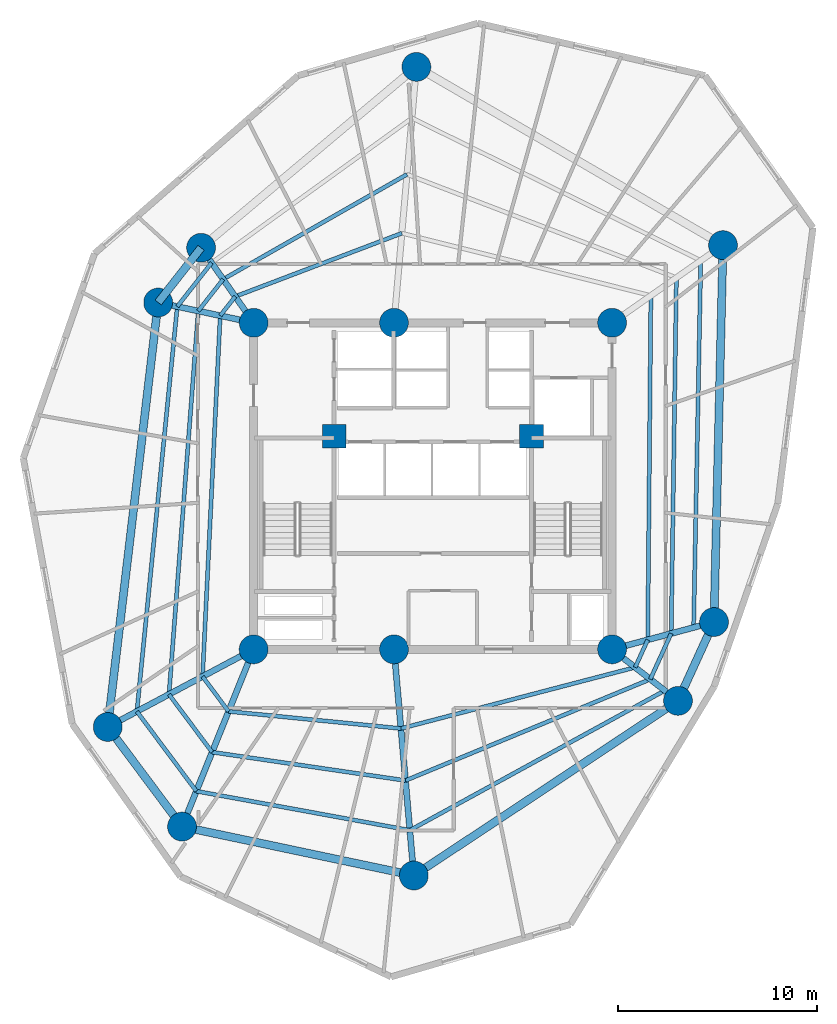
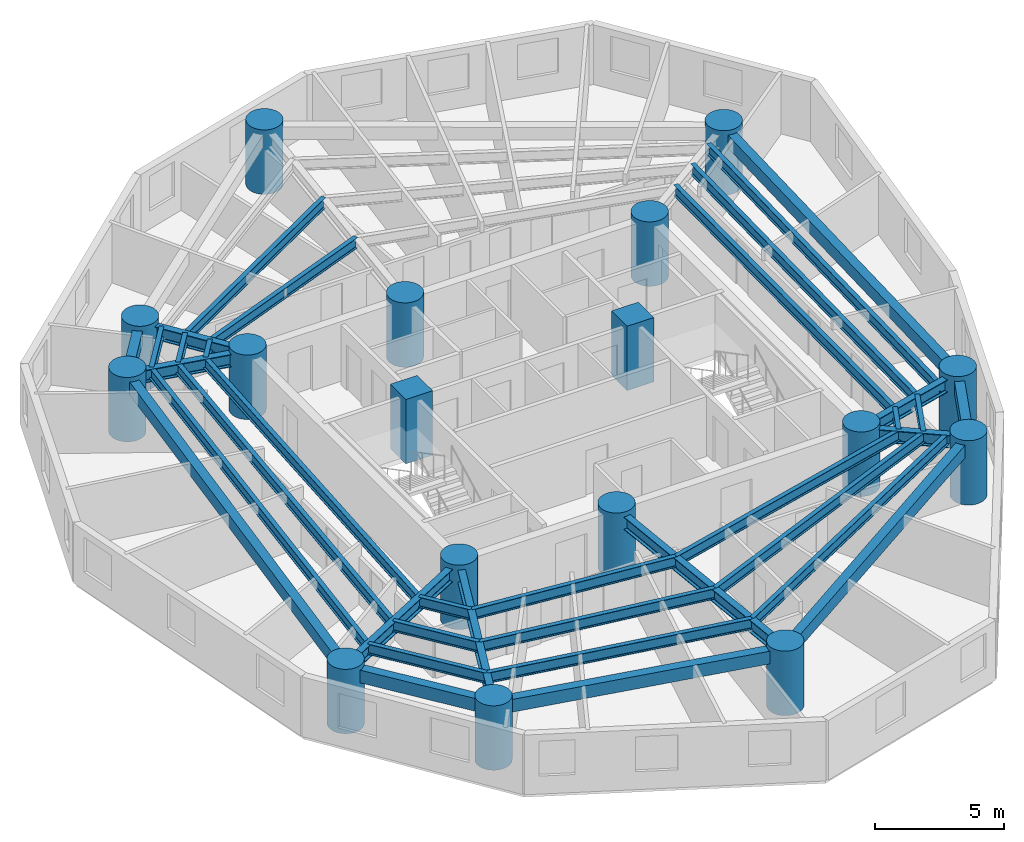
# One storey, part 1 of 7: 36 beams, 17 columns.
"""IFC4 building model written with IfcOpenShell, lengths in metres."""

import ifcopenshell
import ifcopenshell.guid

model = None  # the IFC model being written
_history = None  # IfcOwnerHistory: only IFC2X3 demands one
_inside = {}  # id of a spatial element -> (the spatial element, [elements in it])
_under = {}  # id of a project, library or spatial element -> (it, [spatial elements below it])
_declared = {}  # id of a project -> (the project, [libraries it declares])
_typed = {}  # id of a type object -> (the type object, [elements of that type])
_made_of = {}  # id of a material, layer set ... -> (it, [elements and type objects made of it])


def new_model(schema):
    """Start an empty IFC model of exactly this schema.

    Asked for "IFC4X3", IfcOpenShell would pick the latest addendum, in which some entities
    have other attributes; the version numbers below select the first issue.
    IFC2X3 requires an IfcOwnerHistory on every rooted entity: one is made here for all.
    """
    global model, _history
    if schema == "IFC4X3":
        model = ifcopenshell.file(schema_version=(4, 3, 0, 0))
    else:
        model = ifcopenshell.file(schema=schema)
    _inside.clear()
    _under.clear()
    _declared.clear()
    _typed.clear()
    _made_of.clear()
    _history = None
    if model.schema == "IFC2X3":
        org = make("IfcOrganization", Name="unknown")
        user = make(
            "IfcPersonAndOrganization",
            ThePerson=make("IfcPerson", FamilyName="unknown"),
            TheOrganization=org,
        )
        app = make(
            "IfcApplication",
            ApplicationDeveloper=org,
            Version="unknown",
            ApplicationFullName="unknown",
            ApplicationIdentifier="unknown",
        )
        _history = make(
            "IfcOwnerHistory",
            OwningUser=user,
            OwningApplication=app,
            ChangeAction="ADDED",
            CreationDate=0,
        )
    return model


def make(cls, **values):
    """One entity of the class cls with the attributes given. An attribute that is None is left unset."""
    return model.create_entity(
        cls, **{name: value for name, value in values.items() if value is not None}
    )


def rooted(cls, **values):
    """An entity with a GlobalId (a new one), such as an element, a storey or a relation."""
    return make(cls, GlobalId=ifcopenshell.guid.new(), OwnerHistory=_history, **values)


def si_unit(unit_type, name, prefix=None):
    """IfcSIUnit, for example si_unit("LENGTHUNIT", "METRE", prefix="MILLI")."""
    return make("IfcSIUnit", UnitType=unit_type, Prefix=prefix, Name=name)


def assignment(units):
    """IfcUnitAssignment: the units of a project."""
    return None if units is None else make("IfcUnitAssignment", Units=units)


def point(xyz):
    """IfcCartesianPoint."""
    return None if xyz is None else make("IfcCartesianPoint", Coordinates=xyz)


def direction(xyz):
    """IfcDirection."""
    return None if xyz is None else make("IfcDirection", DirectionRatios=xyz)


def frame(location, z_axis=None, x_axis=None):
    """IfcAxis2Placement3D, a coordinate frame: its origin and axes. An axis left out is left unset."""
    return make(
        "IfcAxis2Placement3D",
        Location=point(location),
        Axis=direction(z_axis),
        RefDirection=direction(x_axis),
    )


def frame_2d(location, x_axis=None):
    """IfcAxis2Placement2D, a coordinate frame in the plane: its origin and x axis."""
    return make(
        "IfcAxis2Placement2D", Location=point(location), RefDirection=direction(x_axis)
    )


def origin():
    """The frame at (0, 0, 0) with its axes left unset."""
    return frame((0.0, 0.0, 0.0))


def origin_with_axes():
    """The frame at (0, 0, 0) with the z axis (0, 0, 1) and the x axis (1, 0, 0) written out."""
    return frame((0.0, 0.0, 0.0), z_axis=(0.0, 0.0, 1.0), x_axis=(1.0, 0.0, 0.0))


def origin_2d():
    """The frame at (0, 0) in the plane with its x axis left unset."""
    return frame_2d((0.0, 0.0))


def place(relative_to, where):
    """IfcLocalPlacement: puts the frame where relative to a parent placement (None: the world)."""
    return make(
        "IfcLocalPlacement", PlacementRelTo=relative_to, RelativePlacement=where
    )


def context(
    kind, dimensions, precision=None, world=None, true_north=None, identifier=None
):
    """IfcGeometricRepresentationContext, for example the 3D "Model" context."""
    return make(
        "IfcGeometricRepresentationContext",
        ContextIdentifier=identifier,
        ContextType=kind,
        CoordinateSpaceDimension=dimensions,
        Precision=precision,
        WorldCoordinateSystem=world,
        TrueNorth=true_north,
    )


def subcontext(parent, identifier, kind, view, scale=None):
    """IfcGeometricRepresentationSubContext, for example "Body" below "Model"."""
    return make(
        "IfcGeometricRepresentationSubContext",
        ContextIdentifier=identifier,
        ContextType=kind,
        ParentContext=parent,
        TargetScale=scale,
        TargetView=view,
    )


def project(units=None, contexts=None):
    """IfcProject with its units and contexts."""
    return rooted(
        "IfcProject",
        Name="project",
        RepresentationContexts=contexts,
        UnitsInContext=assignment(units),
    )


def spatial(cls, under=None, at=None, **own):
    """A site, building, storey or space (cls), placed at a placement, below another one or the project."""
    s = rooted(cls, ObjectPlacement=at, **own)
    if under is not None:
        _under.setdefault(under.id(), (under, []))[1].append(s)
    return s


def profile(cls, at=None, kind="AREA", **sizes):
    """A parametric profile (cls). Its sizes go by their IFC names, for example OverallWidth=200.0."""
    return make(cls, ProfileType=kind, Position=at, **sizes)


def rectangle(**sizes):
    """IfcRectangleProfileDef."""
    return profile("IfcRectangleProfileDef", **sizes)


def circle(**sizes):
    """IfcCircleProfileDef."""
    return profile("IfcCircleProfileDef", **sizes)


def i_section(**sizes):
    """IfcIShapeProfileDef."""
    return profile("IfcIShapeProfileDef", **sizes)


def extrude(swept, where, along, depth):
    """IfcExtrudedAreaSolid: the profile swept, set in the frame where, extruded along a direction by depth."""
    return make(
        "IfcExtrudedAreaSolid",
        SweptArea=swept,
        Position=where,
        ExtrudedDirection=direction(along),
        Depth=depth,
    )


def shape(context_of_items, identifier, shape_type, items):
    """IfcShapeRepresentation: the items that make up one representation, for example the "Body"."""
    return make(
        "IfcShapeRepresentation",
        ContextOfItems=context_of_items,
        RepresentationIdentifier=identifier,
        RepresentationType=shape_type,
        Items=items,
    )


def source(mapping_origin, context_of_items, identifier, shape_type, items):
    """IfcRepresentationMap: a shape defined once, which mapped items show again and again."""
    return make(
        "IfcRepresentationMap",
        MappingOrigin=mapping_origin,
        MappedRepresentation=shape(context_of_items, identifier, shape_type, items),
    )


def transform(
    local_origin,
    x_axis=None,
    y_axis=None,
    z_axis=None,
    scale=None,
    scale2=None,
    scale3=None,
    uniform=True,
):
    """IfcCartesianTransformationOperator3D, or its non-uniform kind. x_axis, y_axis, z_axis: its Axis1, 2, 3."""
    if uniform:
        return make(
            "IfcCartesianTransformationOperator3D",
            Axis1=direction(x_axis),
            Axis2=direction(y_axis),
            LocalOrigin=point(local_origin),
            Scale=scale,
            Axis3=direction(z_axis),
        )
    return make(
        "IfcCartesianTransformationOperator3DnonUniform",
        Axis1=direction(x_axis),
        Axis2=direction(y_axis),
        LocalOrigin=point(local_origin),
        Scale=scale,
        Axis3=direction(z_axis),
        Scale2=scale2,
        Scale3=scale3,
    )


def mapped(mapping_source, mapping_target):
    """IfcMappedItem: shows the shape of a source again, moved by a transform."""
    return make(
        "IfcMappedItem", MappingSource=mapping_source, MappingTarget=mapping_target
    )


def material(Name=None, Category=None):
    """IfcMaterial."""
    return make("IfcMaterial", Name=Name, Category=Category)


def material_profile(
    of_material, cross_section, Name=None, Category=None, Priority=None
):
    """IfcMaterialProfile: a cross section and its material."""
    return make(
        "IfcMaterialProfile",
        Name=Name,
        Material=of_material,
        Profile=cross_section,
        Priority=Priority,
        Category=Category,
    )


def profile_set(profiles, Name=None, composite=None):
    """IfcMaterialProfileSet."""
    return make(
        "IfcMaterialProfileSet",
        Name=Name,
        MaterialProfiles=profiles,
        CompositeProfile=composite,
    )


def made_of(thing, what):
    """Note that an element or type object is made of a material, layer set ...; save() writes the relation."""
    if what is not None:
        _made_of.setdefault(what.id(), (what, []))[1].append(thing)
    return thing


def type_object(cls, material=None, **own):
    """A type object (cls), such as IfcWallType, which elements share."""
    return made_of(rooted(cls, **own), material)


def element(
    cls,
    number,
    at=None,
    inside=None,
    cuts=None,
    type_object=None,
    material=None,
    context=None,
    identifier="Body",
    shape_type=None,
    held_by="IfcProductDefinitionShape",
    body=None,
    shapes=None,
    **own,
):
    """One element of the class cls, such as IfcWall. Its Tag is "e" and its number.

    at: its placement. inside: the storey or other place that contains it. cuts: it is an
    opening in that element (IfcRelVoidsElement). A single representation is given by context,
    identifier, shape_type and body (its items); several are given by shapes. held_by: the class
    of the entity that holds the representations. save() writes the other relations.
    """
    e = rooted(cls, Tag="e%d" % number, ObjectPlacement=at, **own)
    if body is not None:
        shapes = [shape(context, identifier, shape_type, body)]
    if shapes is not None:
        e.Representation = make(held_by, Representations=shapes)
    if inside is not None:
        _inside.setdefault(inside.id(), (inside, []))[1].append(e)
    if cuts is not None:
        rooted(
            "IfcRelVoidsElement", RelatingBuildingElement=cuts, RelatedOpeningElement=e
        )
    if type_object is not None:
        _typed.setdefault(type_object.id(), (type_object, []))[1].append(e)
    return made_of(e, material)


def aggregate(whole, parts):
    """IfcRelAggregates: a whole, such as a stair, and the parts it consists of."""
    return rooted("IfcRelAggregates", RelatingObject=whole, RelatedObjects=parts)


def save(model, path):
    """Write the relations noted so far, then the file.

    IfcRelAggregates (storeys below a building ...), IfcRelContainedInSpatialStructure (elements
    in a storey), IfcRelDefinesByType, IfcRelAssociatesMaterial and IfcRelDeclares: one each for
    every whole, place, type object, material and project.
    """
    for whole, parts in _under.values():
        aggregate(whole, parts)
    for where, things in _inside.values():
        rooted(
            "IfcRelContainedInSpatialStructure",
            RelatedElements=things,
            RelatingStructure=where,
        )
    for kind, things in _typed.values():
        rooted("IfcRelDefinesByType", RelatedObjects=things, RelatingType=kind)
    for what, things in _made_of.values():
        rooted("IfcRelAssociatesMaterial", RelatedObjects=things, RelatingMaterial=what)
    for by, libraries in _declared.values():
        rooted("IfcRelDeclares", RelatingContext=by, RelatedDefinitions=libraries)
    model.write(path)


model = new_model("IFC4")

# Units and contexts
model_context = context("Model", 3, precision=1e-05, world=origin(), true_north=direction((0.0, 1.0)))
body_context = subcontext(model_context, "Body", "Model", "MODEL_VIEW")
ifc_project = project(units=[si_unit("LENGTHUNIT", "METRE"), si_unit("AREAUNIT", "SQUARE_METRE"), si_unit("VOLUMEUNIT", "CUBIC_METRE"), si_unit("PLANEANGLEUNIT", "RADIAN"), si_unit("MASSUNIT", "GRAM", prefix="KILO")], contexts=[model_context])

# Site, building, storey
site_placement = place(None, origin())
site = spatial("IfcSite", under=ifc_project, at=site_placement, CompositionType="ELEMENT")
building_placement = place(site_placement, origin())
building = spatial("IfcBuilding", under=site, at=building_placement, Name="Karkom Vertical University and Central Library", CompositionType="ELEMENT")
storey_placement = place(building_placement, frame((0.0, 0.0, 138.89990234375)))
storey = spatial("IfcBuildingStorey", under=building, at=storey_placement, Name="L39", CompositionType="ELEMENT", Elevation=138.89990234375)

# Columns
ifc_material_1 = material(Name="Concrete C50/60", Category="concrete")
ifc_material_profile_1 = material_profile(ifc_material_1, circle(Radius=0.72509765625, at=origin_2d()), Name="CFT-D1450")
ifc_profile_set_1 = profile_set([ifc_material_profile_1], Name="Concrete C50/60")
column_type_1 = type_object("IfcColumnType", Name="STR-COL-C-SC3", PredefinedType="COLUMN", material=ifc_profile_set_1)
shared_shape_1 = source(origin_with_axes(), body_context, "Body", "SweptSolid", [
    extrude(circle(Radius=0.72509765625, at=origin_2d()), origin(), (0.0, 0.0, 1.0), 3.050048828125),
])
for number, where, z_axis, x_axis, name in (
    (1, (19.5, 18.300048828125, 0.0), (0.0, 0.0, 1.0), (1.0, 0.0, 0.0), "Level 39 Spine Mega-Column SC-1"),
    (2, (26.550048828125, 18.300048828125, 0.0), (0.0, 0.0, 1.0), (1.0, 0.0, 0.0), "Level 39 Spine Mega-Column SC-2"),
    (3, (37.5, 18.300048828125, 0.0), (0.0, 0.0, 1.0), (1.0, 0.0, 0.0), "Level 39 Spine Mega-Column SC-3"),
    (4, (19.5, 34.699951171875, 0.0), (0.0, 0.0, 1.0), (1.0, 0.0, 0.0), "Level 39 Spine Mega-Column SC-4"),
    (5, (26.550048828125, 34.699951171875, 0.0), (0.0, 0.0, 1.0), (1.0, 0.0, 0.0), "Level 39 Spine Mega-Column SC-5"),
    (6, (37.5, 34.699951171875, 0.0), (0.0, 0.0, 1.0), (1.0, 0.0, 0.0), "Level 39 Spine Mega-Column SC-6"),
    (7, (42.618896484375, 19.672119140625, 0.0), (0.0, 0.0, 1.0), (1.0, 0.0, 0.0), "Level 39 Perimeter Mega-Column Z2-PC1"),
    (8, (43.070068359375, 38.60009765625, 0.0), (0.0, 0.0, 1.0), (1.0, 0.0, 0.0), "Level 39 Perimeter Mega-Column Z2-PC2"),
    (9, (27.674072265625, 47.551025390625, 0.0), (0.0, 0.0, 1.0), (1.0, 0.0, 0.0), "Level 39 Perimeter Mega-Column Z2-PC3"),
    (10, (16.862060546875, 38.468017578125, 0.0), (0.0, 0.0, 1.0), (1.0, 0.0, 0.0), "Level 39 Perimeter Mega-Column Z2-PC4"),
    (11, (14.70703125, 35.718994140625, 0.0), (0.0, 0.0, 1.0), (1.0, 0.0, 0.0), "Level 39 Perimeter Mega-Column Z2-PC5"),
    (12, (12.172119140625, 14.403076171875, 0.0), (0.0, 0.0, 1.0), (1.0, 0.0, 0.0), "Level 39 Perimeter Mega-Column Z2-PC6"),
    (13, (15.904052734375, 9.39892578125, 0.0), (0.0, 0.0, 1.0), (1.0, 0.0, 0.0), "Level 39 Perimeter Mega-Column Z2-PC7"),
    (14, (27.5439453125, 6.943115234375, 0.0), (0.0, 0.0, 1.0), (1.0, 0.0, 0.0), "Level 39 Perimeter Mega-Column Z2-PC8"),
    (15, (40.81005859375, 15.714111328125, 0.0), (0.0, 0.0, 1.0), (1.0, 0.0, 0.0), "Level 39 Perimeter Mega-Column Z2-PC9"),
):
    element("IfcColumn", number, at=place(storey_placement, frame(where, z_axis=z_axis, x_axis=x_axis)), inside=storey, type_object=column_type_1, Name=name, PredefinedType="COLUMN", context=body_context, shape_type="MappedRepresentation", body=[
        mapped(shared_shape_1, transform((0.0, 0.0, 0.0), scale=1.0)),
    ])
ifc_material_profile_2 = material_profile(ifc_material_1, rectangle(XDim=1.199951171875, YDim=1.199951171875, at=origin_2d()), Name="RC-1200x1200")
ifc_profile_set_2 = profile_set([ifc_material_profile_2], Name="Concrete C50/60")
column_type_2 = type_object("IfcColumnType", Name="STR-COL-C-CC1", PredefinedType="COLUMN", material=ifc_profile_set_2)
shared_shape_2 = source(origin_with_axes(), body_context, "Body", "SweptSolid", [
    extrude(rectangle(XDim=1.199951171875, YDim=1.199951171875, at=origin_2d()), origin(), (0.0, 0.0, 1.0), 3.050048828125),
])
for number, where, z_axis, x_axis, name in (
    (16, (23.550048828125, 29.0, 0.0), (0.0, 0.0, 1.0), (1.0, 0.0, 0.0), "Level 39 Core Node Column CC-1"),
    (17, (33.449951171875, 29.0, 0.0), (0.0, 0.0, 1.0), (1.0, 0.0, 0.0), "Level 39 Core Node Column CC-2"),
):
    element("IfcColumn", number, at=place(storey_placement, frame(where, z_axis=z_axis, x_axis=x_axis)), inside=storey, type_object=column_type_2, Name=name, PredefinedType="COLUMN", context=body_context, shape_type="MappedRepresentation", body=[
        mapped(shared_shape_2, transform((0.0, 0.0, 0.0), scale=1.0)),
    ])

# Beams
ifc_material_2 = material(Name="Precast concrete C45/55", Category="concrete")
ifc_material_profile_3 = material_profile(ifc_material_2, rectangle(XDim=0.39990234375, YDim=0.60009765625, at=origin_2d()), Name="SPB-400x600")
ifc_profile_set_3 = profile_set([ifc_material_profile_3], Name="Precast concrete C45/55")
beam_type_1 = type_object("IfcBeamType", Name="STR-BM-SP-1", PredefinedType="SPANDREL", material=ifc_profile_set_3)
shared_shape_3 = source(origin_with_axes(), body_context, "Body", "SweptSolid", [
    extrude(rectangle(XDim=0.39990234375, YDim=0.60009765625, at=origin_2d()), origin(), (0.0, 0.0, 1.0), 18.933349609375),
])
beam_1_placement = place(storey_placement, frame((42.618896484375, 19.672119140625, 2.525146484375), z_axis=(0.02382947333, 0.999716037783, 0.0), x_axis=(-0.999716037783, 0.02382947333, 0.0)))
element("IfcBeam", 18, at=beam_1_placement, inside=storey, type_object=beam_type_1, Name="Level 39 Perimeter Spandrel Beam 01", PredefinedType="SPANDREL", context=body_context, shape_type="MappedRepresentation", body=[
    mapped(shared_shape_3, transform((0.0, 0.0, 0.0), scale=1.0)),
])
shared_shape_4 = source(origin_with_axes(), body_context, "Body", "SweptSolid", [
    extrude(rectangle(XDim=0.39990234375, YDim=0.60009765625, at=origin_2d()), origin(), (0.0, 0.0, 1.0), 3.492919921875),
])
beam_2_placement = place(storey_placement, frame((16.862060546875, 38.468017578125, 2.525146484375), z_axis=(-0.616950700538, -0.787001799938, 0.0), x_axis=(0.787001799938, -0.616950700538, 0.0)))
element("IfcBeam", 19, at=beam_2_placement, inside=storey, type_object=beam_type_1, Name="Level 39 Perimeter Spandrel Beam 04", PredefinedType="SPANDREL", context=body_context, shape_type="MappedRepresentation", body=[
    mapped(shared_shape_4, transform((0.0, 0.0, 0.0), scale=1.0)),
])
shared_shape_5 = source(origin_with_axes(), body_context, "Body", "SweptSolid", [
    extrude(rectangle(XDim=0.39990234375, YDim=0.60009765625, at=origin_2d()), origin(), (0.0, 0.0, 1.0), 21.466064453125),
])
beam_3_placement = place(storey_placement, frame((14.70703125, 35.718994140625, 2.525146484375), z_axis=(-0.118088996795, -0.993003015522, 0.0), x_axis=(0.993003015522, -0.118088996795, 0.0)))
element("IfcBeam", 20, at=beam_3_placement, inside=storey, type_object=beam_type_1, Name="Level 39 Perimeter Spandrel Beam 05", PredefinedType="SPANDREL", context=body_context, shape_type="MappedRepresentation", body=[
    mapped(shared_shape_5, transform((0.0, 0.0, 0.0), scale=1.0)),
])
shared_shape_6 = source(origin_with_axes(), body_context, "Body", "SweptSolid", [
    extrude(rectangle(XDim=0.39990234375, YDim=0.60009765625, at=origin_2d()), origin(), (0.0, 0.0, 1.0), 6.242431640625),
])
beam_4_placement = place(storey_placement, frame((12.172119140625, 14.403076171875, 2.525146484375), z_axis=(0.59782643552, -0.801625569074, 0.0), x_axis=(0.801625569074, 0.59782643552, 0.0)))
element("IfcBeam", 21, at=beam_4_placement, inside=storey, type_object=beam_type_1, Name="Level 39 Perimeter Spandrel Beam 06", PredefinedType="SPANDREL", context=body_context, shape_type="MappedRepresentation", body=[
    mapped(shared_shape_6, transform((0.0, 0.0, 0.0), scale=1.0)),
])
shared_shape_7 = source(origin_with_axes(), body_context, "Body", "SweptSolid", [
    extrude(rectangle(XDim=0.39990234375, YDim=0.60009765625, at=origin_2d()), origin(), (0.0, 0.0, 1.0), 11.896240234375),
])
beam_5_placement = place(storey_placement, frame((15.904052734375, 9.39892578125, 2.525146484375), z_axis=(0.978459762135, -0.206437627101, 0.0), x_axis=(0.206437627101, 0.978459762135, 0.0)))
element("IfcBeam", 22, at=beam_5_placement, inside=storey, type_object=beam_type_1, Name="Level 39 Perimeter Spandrel Beam 07", PredefinedType="SPANDREL", context=body_context, shape_type="MappedRepresentation", body=[
    mapped(shared_shape_7, transform((0.0, 0.0, 0.0), scale=1.0)),
])
shared_shape_8 = source(origin_with_axes(), body_context, "Body", "SweptSolid", [
    extrude(rectangle(XDim=0.39990234375, YDim=0.60009765625, at=origin_2d()), origin(), (0.0, 0.0, 1.0), 15.903564453125),
])
beam_6_placement = place(storey_placement, frame((27.5439453125, 6.943115234375, 2.525146484375), z_axis=(0.834165069331, 0.551514856652, 0.0), x_axis=(-0.551514856652, 0.834165069331, 0.0)))
element("IfcBeam", 23, at=beam_6_placement, inside=storey, type_object=beam_type_1, Name="Level 39 Perimeter Spandrel Beam 08", PredefinedType="SPANDREL", context=body_context, shape_type="MappedRepresentation", body=[
    mapped(shared_shape_8, transform((0.0, 0.0, 0.0), scale=1.0)),
])
shared_shape_9 = source(origin_with_axes(), body_context, "Body", "SweptSolid", [
    extrude(rectangle(XDim=0.39990234375, YDim=0.60009765625, at=origin_2d()), origin(), (0.0, 0.0, 1.0), 4.351806640625),
])
beam_7_placement = place(storey_placement, frame((40.81005859375, 15.714111328125, 2.525146484375), z_axis=(0.415657668422, 0.909521139217, 0.0), x_axis=(-0.909521139217, 0.415657668422, 0.0)))
element("IfcBeam", 24, at=beam_7_placement, inside=storey, type_object=beam_type_1, Name="Level 39 Perimeter Spandrel Beam 09", PredefinedType="SPANDREL", context=body_context, shape_type="MappedRepresentation", body=[
    mapped(shared_shape_9, transform((0.0, 0.0, 0.0), scale=1.0)),
])
ifc_material_3 = material(Name="Steel S355", Category="steel")
ifc_material_profile_4 = material_profile(ifc_material_3, i_section(OverallWidth=0.199951171875, OverallDepth=0.5, WebThickness=0.01025390625, FlangeThickness=0.01611328125, FilletRadius=0.02099609375, at=origin_2d()), Name="IPE 500")
ifc_profile_set_4 = profile_set([ifc_material_profile_4], Name="Steel S355")
beam_type_2 = type_object("IfcBeamType", Name="STR-BM-SB-IPE500", PredefinedType="BEAM", material=ifc_profile_set_4)
shared_shape_10 = source(origin_with_axes(), body_context, "Body", "SweptSolid", [
    extrude(i_section(OverallWidth=0.199951171875, OverallDepth=0.5, WebThickness=0.01025390625, FlangeThickness=0.01611328125, FilletRadius=0.02099609375, at=origin_2d()), origin(), (0.0, 0.0, 1.0), 17.285400390625),
])
beam_8_placement = place(storey_placement, frame((39.29150390625, 18.7802734375, 2.5751953125), z_axis=(0.009138294648, 0.999958244914, 0.0), x_axis=(-0.999958244914, 0.009138294648, 0.0)))
element("IfcBeam", 25, at=beam_8_placement, inside=storey, type_object=beam_type_2, Name="Level 39 Secondary Composite Floor Beam 1.01", PredefinedType="BEAM", context=body_context, shape_type="MappedRepresentation", body=[
    mapped(shared_shape_10, transform((0.0, 0.0, 0.0), scale=1.0)),
])
shared_shape_11 = source(origin_with_axes(), body_context, "Body", "SweptSolid", [
    extrude(i_section(OverallWidth=0.199951171875, OverallDepth=0.5, WebThickness=0.01025390625, FlangeThickness=0.01611328125, FilletRadius=0.02099609375, at=origin_2d()), origin(), (0.0, 0.0, 1.0), 8.950439453125),
])
beam_9_placement = place(storey_placement, frame((26.943359375, 39.197998046875, 2.5751953125), z_axis=(-0.93478901494, -0.355203459368, 0.0), x_axis=(0.355203459368, -0.93478901494, 0.0)))
element("IfcBeam", 26, at=beam_9_placement, inside=storey, type_object=beam_type_2, Name="Level 39 Secondary Composite Floor Beam 1.03", PredefinedType="BEAM", context=body_context, shape_type="MappedRepresentation", body=[
    mapped(shared_shape_11, transform((0.0, 0.0, 0.0), scale=1.0)),
])
shared_shape_12 = source(origin_with_axes(), body_context, "Body", "SweptSolid", [
    extrude(i_section(OverallWidth=0.199951171875, OverallDepth=0.5, WebThickness=0.01025390625, FlangeThickness=0.01611328125, FilletRadius=0.02099609375, at=origin_2d()), origin(), (0.0, 0.0, 1.0), 1.222412109375),
])
beam_10_placement = place(storey_placement, frame((18.57666015625, 36.018798828125, 2.5751953125), z_axis=(-0.616895037184, -0.787045432677, 0.0), x_axis=(0.787045432677, -0.616895037184, 0.0)))
element("IfcBeam", 27, at=beam_10_placement, inside=storey, type_object=beam_type_2, Name="Level 39 Secondary Composite Floor Beam 1.04", PredefinedType="BEAM", context=body_context, shape_type="MappedRepresentation", body=[
    mapped(shared_shape_12, transform((0.0, 0.0, 0.0), scale=1.0)),
])
shared_shape_13 = source(origin_with_axes(), body_context, "Body", "SweptSolid", [
    extrude(i_section(OverallWidth=0.199951171875, OverallDepth=0.5, WebThickness=0.01025390625, FlangeThickness=0.01611328125, FilletRadius=0.02099609375, at=origin_2d()), origin(), (0.0, 0.0, 1.0), 18.142333984375),
])
beam_11_placement = place(storey_placement, frame((17.822509765625, 35.056640625, 2.5751953125), z_axis=(-0.048902644774, -0.998803549921, 0.0), x_axis=(0.998803549921, -0.048902644774, 0.0)))
element("IfcBeam", 28, at=beam_11_placement, inside=storey, type_object=beam_type_2, Name="Level 39 Secondary Composite Floor Beam 1.05", PredefinedType="BEAM", context=body_context, shape_type="MappedRepresentation", body=[
    mapped(shared_shape_13, transform((0.0, 0.0, 0.0), scale=1.0)),
])
shared_shape_14 = source(origin_with_axes(), body_context, "Body", "SweptSolid", [
    extrude(i_section(OverallWidth=0.199951171875, OverallDepth=0.5, WebThickness=0.01025390625, FlangeThickness=0.01611328125, FilletRadius=0.02099609375, at=origin_2d()), origin(), (0.0, 0.0, 1.0), 2.1845703125),
])
beam_12_placement = place(storey_placement, frame((16.935302734375, 16.93603515625, 2.5751953125), z_axis=(0.597870130664, -0.801592980795, 0.0), x_axis=(0.801592980795, 0.597870130664, 0.0)))
element("IfcBeam", 29, at=beam_12_placement, inside=storey, type_object=beam_type_2, Name="Level 39 Secondary Composite Floor Beam 1.06", PredefinedType="BEAM", context=body_context, shape_type="MappedRepresentation", body=[
    mapped(shared_shape_14, transform((0.0, 0.0, 0.0), scale=1.0)),
])
shared_shape_15 = source(origin_with_axes(), body_context, "Body", "SweptSolid", [
    extrude(i_section(OverallWidth=0.199951171875, OverallDepth=0.5, WebThickness=0.01025390625, FlangeThickness=0.01611328125, FilletRadius=0.02099609375, at=origin_2d()), origin(), (0.0, 0.0, 1.0), 8.698974609375),
])
beam_13_placement = place(storey_placement, frame((18.241455078125, 15.184814453125, 2.5751953125), z_axis=(0.995105588045, -0.098817349903, 0.0), x_axis=(0.098817349903, 0.995105588045, 0.0)))
element("IfcBeam", 30, at=beam_13_placement, inside=storey, type_object=beam_type_2, Name="Level 39 Secondary Composite Floor Beam 1.07", PredefinedType="BEAM", context=body_context, shape_type="MappedRepresentation", body=[
    mapped(shared_shape_15, transform((0.0, 0.0, 0.0), scale=1.0)),
])
shared_shape_16 = source(origin_with_axes(), body_context, "Body", "SweptSolid", [
    extrude(i_section(OverallWidth=0.199951171875, OverallDepth=0.5, WebThickness=0.01025390625, FlangeThickness=0.01611328125, FilletRadius=0.02099609375, at=origin_2d()), origin(), (0.0, 0.0, 1.0), 12.154541015625),
])
beam_14_placement = place(storey_placement, frame((26.89794921875, 14.3251953125, 2.5751953125), z_axis=(0.967579719768, 0.252565805077, 0.0), x_axis=(-0.252565805077, 0.967579719768, 0.0)))
element("IfcBeam", 31, at=beam_14_placement, inside=storey, type_object=beam_type_2, Name="Level 39 Secondary Composite Floor Beam 1.08", PredefinedType="BEAM", context=body_context, shape_type="MappedRepresentation", body=[
    mapped(shared_shape_16, transform((0.0, 0.0, 0.0), scale=1.0)),
])
shared_shape_17 = source(origin_with_axes(), body_context, "Body", "SweptSolid", [
    extrude(i_section(OverallWidth=0.199951171875, OverallDepth=0.5, WebThickness=0.01025390625, FlangeThickness=0.01611328125, FilletRadius=0.02099609375, at=origin_2d()), origin(), (0.0, 0.0, 1.0), 1.52294921875),
])
beam_15_placement = place(storey_placement, frame((38.658447265625, 17.39501953125, 2.5751953125), z_axis=(0.415649898107, 0.909524690266, 0.0), x_axis=(-0.909524690266, 0.415649898107, 0.0)))
element("IfcBeam", 32, at=beam_15_placement, inside=storey, type_object=beam_type_2, Name="Level 39 Secondary Composite Floor Beam 1.09", PredefinedType="BEAM", context=body_context, shape_type="MappedRepresentation", body=[
    mapped(shared_shape_17, transform((0.0, 0.0, 0.0), scale=1.0)),
])
shared_shape_18 = source(origin_with_axes(), body_context, "Body", "SweptSolid", [
    extrude(i_section(OverallWidth=0.199951171875, OverallDepth=0.5, WebThickness=0.01025390625, FlangeThickness=0.01611328125, FilletRadius=0.02099609375, at=origin_2d()), origin(), (0.0, 0.0, 1.0), 17.8681640625),
])
beam_16_placement = place(storey_placement, frame((40.468994140625, 19.095703125, 2.5751953125), z_axis=(0.014647239676, 0.999892723431, 0.0), x_axis=(-0.999892723431, 0.014647239676, 0.0)))
element("IfcBeam", 33, at=beam_16_placement, inside=storey, type_object=beam_type_2, Name="Level 39 Secondary Composite Floor Beam 2.01", PredefinedType="BEAM", context=body_context, shape_type="MappedRepresentation", body=[
    mapped(shared_shape_18, transform((0.0, 0.0, 0.0), scale=1.0)),
])
shared_shape_19 = source(origin_with_axes(), body_context, "Body", "SweptSolid", [
    extrude(i_section(OverallWidth=0.199951171875, OverallDepth=0.5, WebThickness=0.01025390625, FlangeThickness=0.01611328125, FilletRadius=0.02099609375, at=origin_2d()), origin(), (0.0, 0.0, 1.0), 10.629150390625),
])
beam_17_placement = place(storey_placement, frame((27.201904296875, 42.153564453125, 2.5751953125), z_axis=(-0.868539813491, -0.495619402748, 0.0), x_axis=(0.495619402748, -0.868539813491, 0.0)))
element("IfcBeam", 34, at=beam_17_placement, inside=storey, type_object=beam_type_2, Name="Level 39 Secondary Composite Floor Beam 2.03", PredefinedType="BEAM", context=body_context, shape_type="MappedRepresentation", body=[
    mapped(shared_shape_19, transform((0.0, 0.0, 0.0), scale=1.0)),
])
shared_shape_20 = source(origin_with_axes(), body_context, "Body", "SweptSolid", [
    extrude(i_section(OverallWidth=0.199951171875, OverallDepth=0.5, WebThickness=0.01025390625, FlangeThickness=0.01611328125, FilletRadius=0.02099609375, at=origin_2d()), origin(), (0.0, 0.0, 1.0), 2.02587890625),
])
beam_18_placement = place(storey_placement, frame((17.969970703125, 36.885498046875, 2.5751953125), z_axis=(-0.616889733535, -0.787049589708, 0.0), x_axis=(0.787049589708, -0.616889733535, 0.0)))
element("IfcBeam", 35, at=beam_18_placement, inside=storey, type_object=beam_type_2, Name="Level 39 Secondary Composite Floor Beam 2.04", PredefinedType="BEAM", context=body_context, shape_type="MappedRepresentation", body=[
    mapped(shared_shape_20, transform((0.0, 0.0, 0.0), scale=1.0)),
])
shared_shape_21 = source(origin_with_axes(), body_context, "Body", "SweptSolid", [
    extrude(i_section(OverallWidth=0.199951171875, OverallDepth=0.5, WebThickness=0.01025390625, FlangeThickness=0.01611328125, FilletRadius=0.02099609375, at=origin_2d()), origin(), (0.0, 0.0, 1.0), 19.307373046875),
])
beam_19_placement = place(storey_placement, frame((16.72021484375, 35.291015625, 2.5751953125), z_axis=(-0.07616078645, -0.997095549387, 0.0), x_axis=(0.997095549387, -0.07616078645, 0.0)))
element("IfcBeam", 36, at=beam_19_placement, inside=storey, type_object=beam_type_2, Name="Level 39 Secondary Composite Floor Beam 2.05", PredefinedType="BEAM", context=body_context, shape_type="MappedRepresentation", body=[
    mapped(shared_shape_21, transform((0.0, 0.0, 0.0), scale=1.0)),
])
shared_shape_22 = source(origin_with_axes(), body_context, "Body", "SweptSolid", [
    extrude(i_section(OverallWidth=0.199951171875, OverallDepth=0.5, WebThickness=0.01025390625, FlangeThickness=0.01611328125, FilletRadius=0.02099609375, at=origin_2d()), origin(), (0.0, 0.0, 1.0), 3.62060546875),
])
beam_20_placement = place(storey_placement, frame((15.249755859375, 16.039794921875, 2.5751953125), z_axis=(0.59784003707, -0.801615425298, 0.0), x_axis=(0.801615425298, 0.59784003707, 0.0)))
element("IfcBeam", 37, at=beam_20_placement, inside=storey, type_object=beam_type_2, Name="Level 39 Secondary Composite Floor Beam 2.06", PredefinedType="BEAM", context=body_context, shape_type="MappedRepresentation", body=[
    mapped(shared_shape_22, transform((0.0, 0.0, 0.0), scale=1.0)),
])
shared_shape_23 = source(origin_with_axes(), body_context, "Body", "SweptSolid", [
    extrude(i_section(OverallWidth=0.199951171875, OverallDepth=0.5, WebThickness=0.01025390625, FlangeThickness=0.01611328125, FilletRadius=0.02099609375, at=origin_2d()), origin(), (0.0, 0.0, 1.0), 9.816162109375),
])
beam_21_placement = place(storey_placement, frame((17.414306640625, 13.137451171875, 2.5751953125), z_axis=(0.989413295367, -0.145125225069, 0.0), x_axis=(0.145125225069, 0.989413295367, 0.0)))
element("IfcBeam", 38, at=beam_21_placement, inside=storey, type_object=beam_type_2, Name="Level 39 Secondary Composite Floor Beam 2.07", PredefinedType="BEAM", context=body_context, shape_type="MappedRepresentation", body=[
    mapped(shared_shape_23, transform((0.0, 0.0, 0.0), scale=1.0)),
])
shared_shape_24 = source(origin_with_axes(), body_context, "Body", "SweptSolid", [
    extrude(i_section(OverallWidth=0.199951171875, OverallDepth=0.5, WebThickness=0.01025390625, FlangeThickness=0.01611328125, FilletRadius=0.02099609375, at=origin_2d()), origin(), (0.0, 0.0, 1.0), 13.304443359375),
])
beam_22_placement = place(storey_placement, frame((27.12646484375, 11.712890625, 2.5751953125), z_axis=(0.924011243398, 0.382365299255, 0.0), x_axis=(-0.382365299255, 0.924011243398, 0.0)))
element("IfcBeam", 39, at=beam_22_placement, inside=storey, type_object=beam_type_2, Name="Level 39 Secondary Composite Floor Beam 2.08", PredefinedType="BEAM", context=body_context, shape_type="MappedRepresentation", body=[
    mapped(shared_shape_24, transform((0.0, 0.0, 0.0), scale=1.0)),
])
shared_shape_25 = source(origin_with_axes(), body_context, "Body", "SweptSolid", [
    extrude(i_section(OverallWidth=0.199951171875, OverallDepth=0.5, WebThickness=0.01025390625, FlangeThickness=0.01611328125, FilletRadius=0.02099609375, at=origin_2d()), origin(), (0.0, 0.0, 1.0), 2.52392578125),
])
beam_23_placement = place(storey_placement, frame((39.419921875, 16.800048828125, 2.5751953125), z_axis=(0.415638602127, 0.909529852408, 0.0), x_axis=(-0.909529852408, 0.415638602127, 0.0)))
element("IfcBeam", 40, at=beam_23_placement, inside=storey, type_object=beam_type_2, Name="Level 39 Secondary Composite Floor Beam 2.09", PredefinedType="BEAM", context=body_context, shape_type="MappedRepresentation", body=[
    mapped(shared_shape_25, transform((0.0, 0.0, 0.0), scale=1.0)),
])
shared_shape_26 = source(origin_with_axes(), body_context, "Body", "SweptSolid", [
    extrude(i_section(OverallWidth=0.199951171875, OverallDepth=0.5, WebThickness=0.01025390625, FlangeThickness=0.01611328125, FilletRadius=0.02099609375, at=origin_2d()), origin(), (0.0, 0.0, 1.0), 18.42578125),
])
beam_24_placement = place(storey_placement, frame((41.59521484375, 19.397705078125, 2.5751953125), z_axis=(0.019583298818, 0.999808228816, 0.0), x_axis=(-0.999808228816, 0.019583298818, 0.0)))
element("IfcBeam", 41, at=beam_24_placement, inside=storey, type_object=beam_type_2, Name="Level 39 Secondary Composite Floor Beam 3.01", PredefinedType="BEAM", context=body_context, shape_type="MappedRepresentation", body=[
    mapped(shared_shape_26, transform((0.0, 0.0, 0.0), scale=1.0)),
])
shared_shape_27 = source(origin_with_axes(), body_context, "Body", "SweptSolid", [
    extrude(i_section(OverallWidth=0.199951171875, OverallDepth=0.5, WebThickness=0.01025390625, FlangeThickness=0.01611328125, FilletRadius=0.02099609375, at=origin_2d()), origin(), (0.0, 0.0, 1.0), 2.79443359375),
])
beam_25_placement = place(storey_placement, frame((17.3896484375, 37.71435546875, 2.5751953125), z_axis=(-0.616972344898, -0.786984831894, 0.0), x_axis=(0.786984831894, -0.616972344898, 0.0)))
element("IfcBeam", 42, at=beam_25_placement, inside=storey, type_object=beam_type_2, Name="Level 39 Secondary Composite Floor Beam 3.04", PredefinedType="BEAM", context=body_context, shape_type="MappedRepresentation", body=[
    mapped(shared_shape_27, transform((0.0, 0.0, 0.0), scale=1.0)),
])
shared_shape_28 = source(origin_with_axes(), body_context, "Body", "SweptSolid", [
    extrude(i_section(OverallWidth=0.199951171875, OverallDepth=0.5, WebThickness=0.01025390625, FlangeThickness=0.01611328125, FilletRadius=0.02099609375, at=origin_2d()), origin(), (0.0, 0.0, 1.0), 20.43359375),
])
beam_26_placement = place(storey_placement, frame((15.66552734375, 35.51513671875, 2.5751953125), z_axis=(-0.099239913611, -0.995063535432, 0.0), x_axis=(0.995063535432, -0.099239913611, 0.0)))
element("IfcBeam", 43, at=beam_26_placement, inside=storey, type_object=beam_type_2, Name="Level 39 Secondary Composite Floor Beam 3.05", PredefinedType="BEAM", context=body_context, shape_type="MappedRepresentation", body=[
    mapped(shared_shape_28, transform((0.0, 0.0, 0.0), scale=1.0)),
])
shared_shape_29 = source(origin_with_axes(), body_context, "Body", "SweptSolid", [
    extrude(i_section(OverallWidth=0.199951171875, OverallDepth=0.5, WebThickness=0.01025390625, FlangeThickness=0.01611328125, FilletRadius=0.02099609375, at=origin_2d()), origin(), (0.0, 0.0, 1.0), 4.993896484375),
])
beam_27_placement = place(storey_placement, frame((13.6376953125, 15.182373046875, 2.5751953125), z_axis=(0.597846775537, -0.801610399745, 0.0), x_axis=(0.801610399745, 0.597846775537, 0.0)))
element("IfcBeam", 44, at=beam_27_placement, inside=storey, type_object=beam_type_2, Name="Level 39 Secondary Composite Floor Beam 3.06", PredefinedType="BEAM", context=body_context, shape_type="MappedRepresentation", body=[
    mapped(shared_shape_29, transform((0.0, 0.0, 0.0), scale=1.0)),
])
shared_shape_30 = source(origin_with_axes(), body_context, "Body", "SweptSolid", [
    extrude(i_section(OverallWidth=0.199951171875, OverallDepth=0.5, WebThickness=0.01025390625, FlangeThickness=0.01611328125, FilletRadius=0.02099609375, at=origin_2d()), origin(), (0.0, 0.0, 1.0), 10.900390625),
])
beam_28_placement = place(storey_placement, frame((16.623291015625, 11.17919921875, 2.5751953125), z_axis=(0.98362026014, -0.180253110495, 0.0), x_axis=(0.180253110495, 0.98362026014, 0.0)))
element("IfcBeam", 45, at=beam_28_placement, inside=storey, type_object=beam_type_2, Name="Level 39 Secondary Composite Floor Beam 3.07", PredefinedType="BEAM", context=body_context, shape_type="MappedRepresentation", body=[
    mapped(shared_shape_30, transform((0.0, 0.0, 0.0), scale=1.0)),
])
shared_shape_31 = source(origin_with_axes(), body_context, "Body", "SweptSolid", [
    extrude(i_section(OverallWidth=0.199951171875, OverallDepth=0.5, WebThickness=0.01025390625, FlangeThickness=0.01611328125, FilletRadius=0.02099609375, at=origin_2d()), origin(), (0.0, 0.0, 1.0), 14.599609375),
])
beam_29_placement = place(storey_placement, frame((27.34521484375, 9.21435546875, 2.5751953125), z_axis=(0.876928143127, 0.480621505752, 0.0), x_axis=(-0.480621505752, 0.876928143127, 0.0)))
element("IfcBeam", 46, at=beam_29_placement, inside=storey, type_object=beam_type_2, Name="Level 39 Secondary Composite Floor Beam 3.08", PredefinedType="BEAM", context=body_context, shape_type="MappedRepresentation", body=[
    mapped(shared_shape_31, transform((0.0, 0.0, 0.0), scale=1.0)),
])
ifc_material_profile_5 = material_profile(ifc_material_3, i_section(OverallWidth=0.300048828125, OverallDepth=0.60009765625, WebThickness=0.015380859375, FlangeThickness=0.030029296875, FilletRadius=0.027099609375, at=origin_2d()), Name="HE 600 B")
ifc_profile_set_5 = profile_set([ifc_material_profile_5], Name="Steel S355")
beam_type_3 = type_object("IfcBeamType", Name="STR-BM-SB-HE600", PredefinedType="USERDEFINED", material=ifc_profile_set_5)
shared_shape_32 = source(origin_with_axes(), body_context, "Body", "SweptSolid", [
    extrude(i_section(OverallWidth=0.300048828125, OverallDepth=0.60009765625, WebThickness=0.015380859375, FlangeThickness=0.030029296875, FilletRadius=0.027099609375, at=origin_2d()), origin(), (0.0, 0.0, 1.0), 5.299560546875),
])
beam_30_placement = place(storey_placement, frame((37.5, 18.300048828125, 2.525146484375), z_axis=(0.965903833688, 0.258901108663, 0.0), x_axis=(-0.258901108663, 0.965903833688, 0.0)))
element("IfcBeam", 47, at=beam_30_placement, inside=storey, type_object=beam_type_3, Name="Level 39 Radial Frame Girder 01", ObjectType="GIRDER", PredefinedType="USERDEFINED", context=body_context, shape_type="MappedRepresentation", body=[
    mapped(shared_shape_32, transform((0.0, 0.0, 0.0), scale=1.0)),
])
shared_shape_33 = source(origin_with_axes(), body_context, "Body", "SweptSolid", [
    extrude(i_section(OverallWidth=0.300048828125, OverallDepth=0.60009765625, WebThickness=0.015380859375, FlangeThickness=0.030029296875, FilletRadius=0.027099609375, at=origin_2d()), origin(), (0.0, 0.0, 1.0), 4.599609375),
])
beam_31_placement = place(storey_placement, frame((19.5, 34.699951171875, 2.525146484375), z_axis=(-0.573505090764, 0.819201996377, 0.0), x_axis=(-0.819201996377, -0.573505090764, 0.0)))
element("IfcBeam", 48, at=beam_31_placement, inside=storey, type_object=beam_type_3, Name="Level 39 Radial Frame Girder 04", ObjectType="GIRDER", PredefinedType="USERDEFINED", context=body_context, shape_type="MappedRepresentation", body=[
    mapped(shared_shape_33, transform((0.0, 0.0, 0.0), scale=1.0)),
])
shared_shape_34 = source(origin_with_axes(), body_context, "Body", "SweptSolid", [
    extrude(i_section(OverallWidth=0.300048828125, OverallDepth=0.60009765625, WebThickness=0.015380859375, FlangeThickness=0.030029296875, FilletRadius=0.027099609375, at=origin_2d()), origin(), (0.0, 0.0, 1.0), 4.900146484375),
])
beam_32_placement = place(storey_placement, frame((19.5, 34.699951171875, 2.525146484375), z_axis=(-0.978136559131, 0.207963630695, 0.0), x_axis=(-0.207963630695, -0.978136559131, 0.0)))
element("IfcBeam", 49, at=beam_32_placement, inside=storey, type_object=beam_type_3, Name="Level 39 Radial Frame Girder 05", ObjectType="GIRDER", PredefinedType="USERDEFINED", context=body_context, shape_type="MappedRepresentation", body=[
    mapped(shared_shape_34, transform((0.0, 0.0, 0.0), scale=1.0)),
])
shared_shape_35 = source(origin_with_axes(), body_context, "Body", "SweptSolid", [
    extrude(i_section(OverallWidth=0.300048828125, OverallDepth=0.60009765625, WebThickness=0.015380859375, FlangeThickness=0.030029296875, FilletRadius=0.027099609375, at=origin_2d()), origin(), (0.0, 0.0, 1.0), 8.299560546875),
])
beam_33_placement = place(storey_placement, frame((19.5, 18.300048828125, 2.525146484375), z_axis=(-0.882914163564, -0.469534428746, 0.0), x_axis=(0.469534428746, -0.882914163564, 0.0)))
element("IfcBeam", 50, at=beam_33_placement, inside=storey, type_object=beam_type_3, Name="Level 39 Radial Frame Girder 06", ObjectType="GIRDER", PredefinedType="USERDEFINED", context=body_context, shape_type="MappedRepresentation", body=[
    mapped(shared_shape_35, transform((0.0, 0.0, 0.0), scale=1.0)),
])
shared_shape_36 = source(origin_with_axes(), body_context, "Body", "SweptSolid", [
    extrude(i_section(OverallWidth=0.300048828125, OverallDepth=0.60009765625, WebThickness=0.015380859375, FlangeThickness=0.030029296875, FilletRadius=0.027099609375, at=origin_2d()), origin(), (0.0, 0.0, 1.0), 9.60009765625),
])
beam_34_placement = place(storey_placement, frame((19.5, 18.300048828125, 2.525146484375), z_axis=(-0.374576157034, -0.927196151082, 0.0), x_axis=(0.927196151082, -0.374576157034, 0.0)))
element("IfcBeam", 51, at=beam_34_placement, inside=storey, type_object=beam_type_3, Name="Level 39 Radial Frame Girder 07", ObjectType="GIRDER", PredefinedType="USERDEFINED", context=body_context, shape_type="MappedRepresentation", body=[
    mapped(shared_shape_36, transform((0.0, 0.0, 0.0), scale=1.0)),
])
shared_shape_37 = source(origin_with_axes(), body_context, "Body", "SweptSolid", [
    extrude(i_section(OverallWidth=0.300048828125, OverallDepth=0.60009765625, WebThickness=0.015380859375, FlangeThickness=0.030029296875, FilletRadius=0.027099609375, at=origin_2d()), origin(), (0.0, 0.0, 1.0), 11.400390625),
])
beam_35_placement = place(storey_placement, frame((26.550048828125, 18.300048828125, 2.525146484375), z_axis=(0.087181295702, -0.996192462168, 0.0), x_axis=(0.996192462168, 0.087181295702, 0.0)))
element("IfcBeam", 52, at=beam_35_placement, inside=storey, type_object=beam_type_3, Name="Level 39 Radial Frame Girder 08", ObjectType="GIRDER", PredefinedType="USERDEFINED", context=body_context, shape_type="MappedRepresentation", body=[
    mapped(shared_shape_37, transform((0.0, 0.0, 0.0), scale=1.0)),
])
shared_shape_38 = source(origin_with_axes(), body_context, "Body", "SweptSolid", [
    extrude(i_section(OverallWidth=0.300048828125, OverallDepth=0.60009765625, WebThickness=0.015380859375, FlangeThickness=0.030029296875, FilletRadius=0.027099609375, at=origin_2d()), origin(), (0.0, 0.0, 1.0), 4.200439453125),
])
beam_36_placement = place(storey_placement, frame((37.5, 18.300048828125, 2.525146484375), z_axis=(0.788029660796, -0.615637274461, 0.0), x_axis=(0.615637274461, 0.788029660796, 0.0)))
element("IfcBeam", 53, at=beam_36_placement, inside=storey, type_object=beam_type_3, Name="Level 39 Radial Frame Girder 09", ObjectType="GIRDER", PredefinedType="USERDEFINED", context=body_context, shape_type="MappedRepresentation", body=[
    mapped(shared_shape_38, transform((0.0, 0.0, 0.0), scale=1.0)),
])

save(model, "model.ifc")
